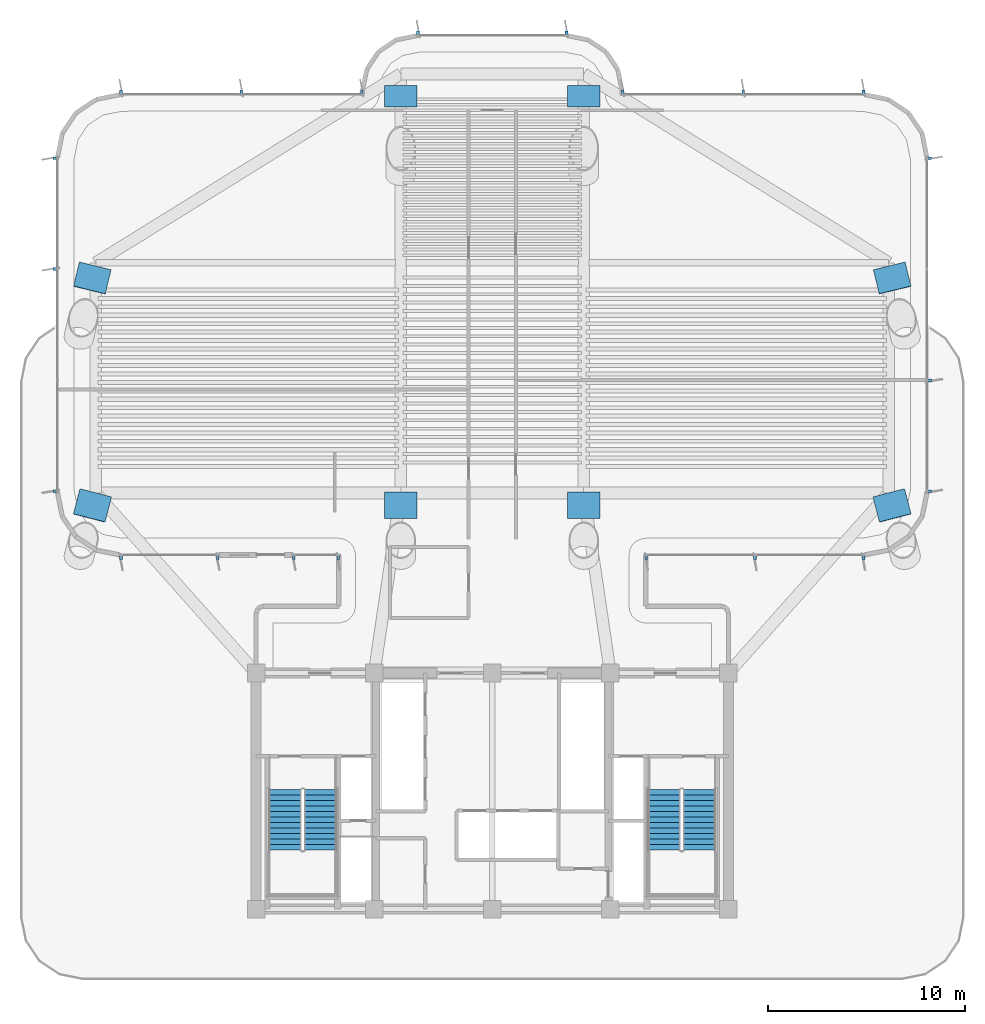
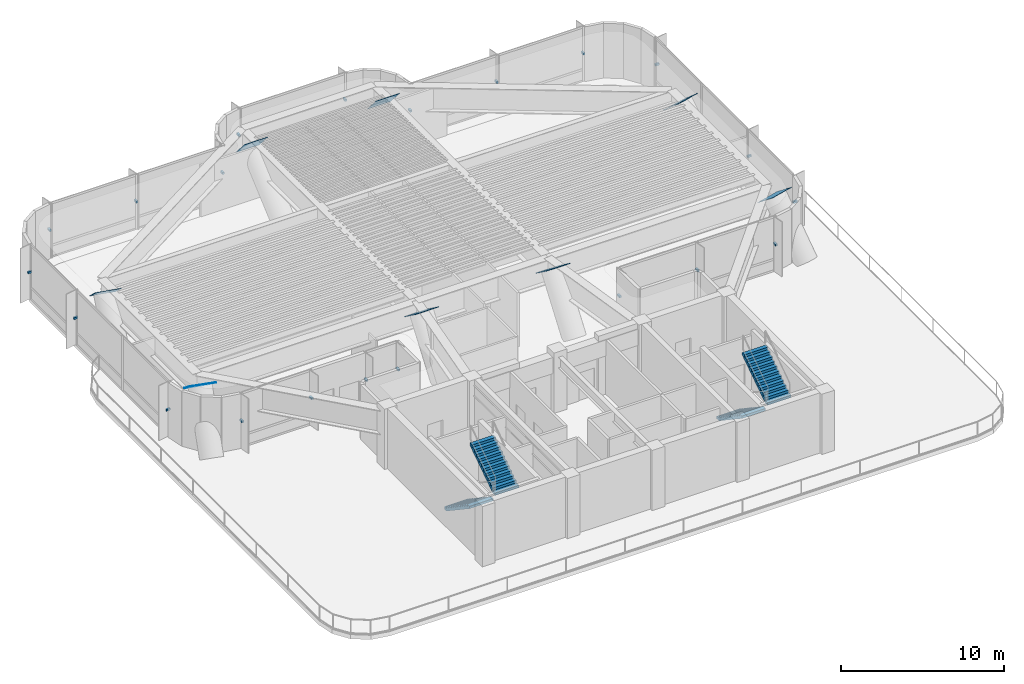
# One storey, part 10 of 14: 29 discrete accessories, 4 stair flights, 2 elements without a shape of their own.
"""IFC4 building model written with IfcOpenShell, lengths in metres."""

import ifcopenshell
import ifcopenshell.guid

model = None  # the IFC model being written
_history = None  # IfcOwnerHistory: only IFC2X3 demands one
_inside = {}  # id of a spatial element -> (the spatial element, [elements in it])
_under = {}  # id of a project, library or spatial element -> (it, [spatial elements below it])
_declared = {}  # id of a project -> (the project, [libraries it declares])
_typed = {}  # id of a type object -> (the type object, [elements of that type])
_made_of = {}  # id of a material, layer set ... -> (it, [elements and type objects made of it])


def new_model(schema):
    """Start an empty IFC model of exactly this schema.

    Asked for "IFC4X3", IfcOpenShell would pick the latest addendum, in which some entities
    have other attributes; the version numbers below select the first issue.
    IFC2X3 requires an IfcOwnerHistory on every rooted entity: one is made here for all.
    """
    global model, _history
    if schema == "IFC4X3":
        model = ifcopenshell.file(schema_version=(4, 3, 0, 0))
    else:
        model = ifcopenshell.file(schema=schema)
    _inside.clear()
    _under.clear()
    _declared.clear()
    _typed.clear()
    _made_of.clear()
    _history = None
    if model.schema == "IFC2X3":
        org = make("IfcOrganization", Name="unknown")
        user = make(
            "IfcPersonAndOrganization",
            ThePerson=make("IfcPerson", FamilyName="unknown"),
            TheOrganization=org,
        )
        app = make(
            "IfcApplication",
            ApplicationDeveloper=org,
            Version="unknown",
            ApplicationFullName="unknown",
            ApplicationIdentifier="unknown",
        )
        _history = make(
            "IfcOwnerHistory",
            OwningUser=user,
            OwningApplication=app,
            ChangeAction="ADDED",
            CreationDate=0,
        )
    return model


def make(cls, **values):
    """One entity of the class cls with the attributes given. An attribute that is None is left unset."""
    return model.create_entity(
        cls, **{name: value for name, value in values.items() if value is not None}
    )


def rooted(cls, **values):
    """An entity with a GlobalId (a new one), such as an element, a storey or a relation."""
    return make(cls, GlobalId=ifcopenshell.guid.new(), OwnerHistory=_history, **values)


def si_unit(unit_type, name, prefix=None):
    """IfcSIUnit, for example si_unit("LENGTHUNIT", "METRE", prefix="MILLI")."""
    return make("IfcSIUnit", UnitType=unit_type, Prefix=prefix, Name=name)


def assignment(units):
    """IfcUnitAssignment: the units of a project."""
    return None if units is None else make("IfcUnitAssignment", Units=units)


def point(xyz):
    """IfcCartesianPoint."""
    return None if xyz is None else make("IfcCartesianPoint", Coordinates=xyz)


def direction(xyz):
    """IfcDirection."""
    return None if xyz is None else make("IfcDirection", DirectionRatios=xyz)


def frame(location, z_axis=None, x_axis=None):
    """IfcAxis2Placement3D, a coordinate frame: its origin and axes. An axis left out is left unset."""
    return make(
        "IfcAxis2Placement3D",
        Location=point(location),
        Axis=direction(z_axis),
        RefDirection=direction(x_axis),
    )


def frame_2d(location, x_axis=None):
    """IfcAxis2Placement2D, a coordinate frame in the plane: its origin and x axis."""
    return make(
        "IfcAxis2Placement2D", Location=point(location), RefDirection=direction(x_axis)
    )


def origin():
    """The frame at (0, 0, 0) with its axes left unset."""
    return frame((0.0, 0.0, 0.0))


def origin_2d():
    """The frame at (0, 0) in the plane with its x axis left unset."""
    return frame_2d((0.0, 0.0))


def place(relative_to, where):
    """IfcLocalPlacement: puts the frame where relative to a parent placement (None: the world)."""
    return make(
        "IfcLocalPlacement", PlacementRelTo=relative_to, RelativePlacement=where
    )


def context(
    kind, dimensions, precision=None, world=None, true_north=None, identifier=None
):
    """IfcGeometricRepresentationContext, for example the 3D "Model" context."""
    return make(
        "IfcGeometricRepresentationContext",
        ContextIdentifier=identifier,
        ContextType=kind,
        CoordinateSpaceDimension=dimensions,
        Precision=precision,
        WorldCoordinateSystem=world,
        TrueNorth=true_north,
    )


def subcontext(parent, identifier, kind, view, scale=None):
    """IfcGeometricRepresentationSubContext, for example "Body" below "Model"."""
    return make(
        "IfcGeometricRepresentationSubContext",
        ContextIdentifier=identifier,
        ContextType=kind,
        ParentContext=parent,
        TargetScale=scale,
        TargetView=view,
    )


def project(units=None, contexts=None):
    """IfcProject with its units and contexts."""
    return rooted(
        "IfcProject",
        Name="project",
        RepresentationContexts=contexts,
        UnitsInContext=assignment(units),
    )


def spatial(cls, under=None, at=None, **own):
    """A site, building, storey or space (cls), placed at a placement, below another one or the project."""
    s = rooted(cls, ObjectPlacement=at, **own)
    if under is not None:
        _under.setdefault(under.id(), (under, []))[1].append(s)
    return s


def polyline(points):
    """IfcPolyline through the points."""
    return make("IfcPolyline", Points=[point(p) for p in points])


def profile(cls, at=None, kind="AREA", **sizes):
    """A parametric profile (cls). Its sizes go by their IFC names, for example OverallWidth=200.0."""
    return make(cls, ProfileType=kind, Position=at, **sizes)


def rectangle(**sizes):
    """IfcRectangleProfileDef."""
    return profile("IfcRectangleProfileDef", **sizes)


def outline(outer, holes=None, kind="AREA"):
    """IfcArbitraryClosedProfileDef: a profile drawn as a closed curve; with holes, ...WithVoids."""
    if holes is None:
        return make("IfcArbitraryClosedProfileDef", ProfileType=kind, OuterCurve=outer)
    return make(
        "IfcArbitraryProfileDefWithVoids",
        ProfileType=kind,
        OuterCurve=outer,
        InnerCurves=holes,
    )


def extrude(swept, where, along, depth):
    """IfcExtrudedAreaSolid: the profile swept, set in the frame where, extruded along a direction by depth."""
    return make(
        "IfcExtrudedAreaSolid",
        SweptArea=swept,
        Position=where,
        ExtrudedDirection=direction(along),
        Depth=depth,
    )


def shape(context_of_items, identifier, shape_type, items):
    """IfcShapeRepresentation: the items that make up one representation, for example the "Body"."""
    return make(
        "IfcShapeRepresentation",
        ContextOfItems=context_of_items,
        RepresentationIdentifier=identifier,
        RepresentationType=shape_type,
        Items=items,
    )


def source(mapping_origin, context_of_items, identifier, shape_type, items):
    """IfcRepresentationMap: a shape defined once, which mapped items show again and again."""
    return make(
        "IfcRepresentationMap",
        MappingOrigin=mapping_origin,
        MappedRepresentation=shape(context_of_items, identifier, shape_type, items),
    )


def transform(
    local_origin,
    x_axis=None,
    y_axis=None,
    z_axis=None,
    scale=None,
    scale2=None,
    scale3=None,
    uniform=True,
):
    """IfcCartesianTransformationOperator3D, or its non-uniform kind. x_axis, y_axis, z_axis: its Axis1, 2, 3."""
    if uniform:
        return make(
            "IfcCartesianTransformationOperator3D",
            Axis1=direction(x_axis),
            Axis2=direction(y_axis),
            LocalOrigin=point(local_origin),
            Scale=scale,
            Axis3=direction(z_axis),
        )
    return make(
        "IfcCartesianTransformationOperator3DnonUniform",
        Axis1=direction(x_axis),
        Axis2=direction(y_axis),
        LocalOrigin=point(local_origin),
        Scale=scale,
        Axis3=direction(z_axis),
        Scale2=scale2,
        Scale3=scale3,
    )


def mapped(mapping_source, mapping_target):
    """IfcMappedItem: shows the shape of a source again, moved by a transform."""
    return make(
        "IfcMappedItem", MappingSource=mapping_source, MappingTarget=mapping_target
    )


def material(Name=None, Category=None):
    """IfcMaterial."""
    return make("IfcMaterial", Name=Name, Category=Category)


def material_profile(
    of_material, cross_section, Name=None, Category=None, Priority=None
):
    """IfcMaterialProfile: a cross section and its material."""
    return make(
        "IfcMaterialProfile",
        Name=Name,
        Material=of_material,
        Profile=cross_section,
        Priority=Priority,
        Category=Category,
    )


def profile_set(profiles, Name=None, composite=None):
    """IfcMaterialProfileSet."""
    return make(
        "IfcMaterialProfileSet",
        Name=Name,
        MaterialProfiles=profiles,
        CompositeProfile=composite,
    )


def made_of(thing, what):
    """Note that an element or type object is made of a material, layer set ...; save() writes the relation."""
    if what is not None:
        _made_of.setdefault(what.id(), (what, []))[1].append(thing)
    return thing


def type_object(cls, material=None, **own):
    """A type object (cls), such as IfcWallType, which elements share."""
    return made_of(rooted(cls, **own), material)


def element(
    cls,
    number,
    at=None,
    inside=None,
    cuts=None,
    type_object=None,
    material=None,
    context=None,
    identifier="Body",
    shape_type=None,
    held_by="IfcProductDefinitionShape",
    body=None,
    shapes=None,
    **own,
):
    """One element of the class cls, such as IfcWall. Its Tag is "e" and its number.

    at: its placement. inside: the storey or other place that contains it. cuts: it is an
    opening in that element (IfcRelVoidsElement). A single representation is given by context,
    identifier, shape_type and body (its items); several are given by shapes. held_by: the class
    of the entity that holds the representations. save() writes the other relations.
    """
    e = rooted(cls, Tag="e%d" % number, ObjectPlacement=at, **own)
    if body is not None:
        shapes = [shape(context, identifier, shape_type, body)]
    if shapes is not None:
        e.Representation = make(held_by, Representations=shapes)
    if inside is not None:
        _inside.setdefault(inside.id(), (inside, []))[1].append(e)
    if cuts is not None:
        rooted(
            "IfcRelVoidsElement", RelatingBuildingElement=cuts, RelatedOpeningElement=e
        )
    if type_object is not None:
        _typed.setdefault(type_object.id(), (type_object, []))[1].append(e)
    return made_of(e, material)


def aggregate(whole, parts):
    """IfcRelAggregates: a whole, such as a stair, and the parts it consists of."""
    return rooted("IfcRelAggregates", RelatingObject=whole, RelatedObjects=parts)


def save(model, path):
    """Write the relations noted so far, then the file.

    IfcRelAggregates (storeys below a building ...), IfcRelContainedInSpatialStructure (elements
    in a storey), IfcRelDefinesByType, IfcRelAssociatesMaterial and IfcRelDeclares: one each for
    every whole, place, type object, material and project.
    """
    for whole, parts in _under.values():
        aggregate(whole, parts)
    for where, things in _inside.values():
        rooted(
            "IfcRelContainedInSpatialStructure",
            RelatedElements=things,
            RelatingStructure=where,
        )
    for kind, things in _typed.values():
        rooted("IfcRelDefinesByType", RelatedObjects=things, RelatingType=kind)
    for what, things in _made_of.values():
        rooted("IfcRelAssociatesMaterial", RelatedObjects=things, RelatingMaterial=what)
    for by, libraries in _declared.values():
        rooted("IfcRelDeclares", RelatingContext=by, RelatedDefinitions=libraries)
    model.write(path)


model = new_model("IFC4")

# Units and contexts
model_context = context("Model", 3, precision=1e-05, world=origin(), true_north=direction((0.0, 1.0)))
body_context = subcontext(model_context, "Body", "Model", "MODEL_VIEW")
ifc_project = project(units=[si_unit("LENGTHUNIT", "METRE"), si_unit("AREAUNIT", "SQUARE_METRE"), si_unit("VOLUMEUNIT", "CUBIC_METRE"), si_unit("PLANEANGLEUNIT", "RADIAN"), si_unit("MASSUNIT", "GRAM", prefix="KILO")], contexts=[model_context])

# Site, building, storey
site_placement = place(None, origin())
site = spatial("IfcSite", under=ifc_project, at=site_placement, CompositionType="ELEMENT")
building_placement = place(site_placement, origin())
building = spatial("IfcBuilding", under=site, at=building_placement, Name="Brelvock Crest Care Tower", CompositionType="ELEMENT")
storey_placement = place(building_placement, frame((0.0, 0.0, 85.320068359375)))
storey = spatial("IfcBuildingStorey", under=building, at=storey_placement, Name="L21", CompositionType="ELEMENT", Elevation=85.320068359375)

# Stair, stair flights
ifc_material_1 = material(Name="Concrete N40 (40 MPa)", Category="concrete")
stair_type = type_object("IfcStairType", Name="ST-CORE1", PredefinedType="HALF_TURN_STAIR", material=ifc_material_1)
stair_1_placement = place(storey_placement, origin())
stair_1 = element("IfcStair", 1, at=stair_1_placement, inside=storey, type_object=stair_type, Name="L21 Fire-Isolated Core Stair ST-1", PredefinedType="HALF_TURN_STAIR")
stair_flight_type = type_object("IfcStairFlightType", Name="STF-1", PredefinedType="STRAIGHT", material=ifc_material_1)
stair_flight_1_placement = place(storey_placement, frame((25.469970703125, 12.080078125, 0.0), z_axis=(0.0, 0.0, 1.0), x_axis=(0.0, -1.0, 0.0)))
stair_flight_1 = element("IfcStairFlight", 2, at=stair_flight_1_placement, type_object=stair_flight_type, Name="ST-1 flight 1", NumberOfRisers=12, NumberOfTreads=11, PredefinedType="STRAIGHT", RiserHeight=0.1875, TreadLength=0.28, context=body_context, shape_type="SweptSolid", body=[
    extrude(outline(polyline([(-0.00390625, -0.014892578125), (-0.00390625, -0.0078125), (-0.00390625, -0.00048828125), (-0.00390625, 0.006591796875), (-0.00390625, 0.013916015625), (-0.00390625, 0.021240234375), (-0.00390625, 0.0283203125), (-0.00390625, 0.03564453125), (-0.00390625, 0.04296875), (-0.00390625, 0.050048828125), (-0.00390625, 0.057373046875), (-0.00390625, 0.064453125), (-0.00390625, 0.07177734375), (-0.00390625, 0.0791015625), (-0.00390625, 0.086181640625), (-0.00390625, 0.093505859375), (-0.00390625, 0.100830078125), (-0.00390625, 0.10791015625), (-0.00390625, 0.115234375), (-0.00390625, 0.122314453125), (-0.00390625, 0.129638671875), (-0.00390625, 0.136962890625), (-0.00390625, 0.14404296875), (-0.00390625, 0.1513671875), (-0.00390625, 0.15869140625), (-0.00390625, 0.165771484375), (-0.00390625, 0.173095703125), (-0.00390625, 0.18017578125), (-0.00390625, 0.1875), (0.0, 0.1875), (0.280029296875, 0.1875), (0.280029296875, 0.375), (0.56005859375, 0.375), (0.56005859375, 0.5625), (0.840087890625, 0.5625), (0.840087890625, 0.75), (1.1201171875, 0.75), (1.1201171875, 0.9375), (1.39990234375, 0.9375), (1.39990234375, 1.125), (1.679931640625, 1.125), (1.679931640625, 1.3125), (1.9599609375, 1.3125), (1.9599609375, 1.5), (2.239990234375, 1.5), (2.239990234375, 1.6875), (2.52001953125, 1.6875), (2.52001953125, 1.875), (2.800048828125, 1.875), (2.800048828125, 2.0625), (3.080078125, 2.0625), (3.083984375, 2.0625), (3.083740234375, 2.06201171875), (3.083984375, 2.061767578125), (3.083740234375, 2.061279296875), (3.083984375, 2.06103515625), (3.083740234375, 2.060546875), (3.083984375, 2.060302734375), (3.083740234375, 2.059814453125), (3.083984375, 2.0595703125), (3.083740234375, 2.05908203125), (3.083984375, 2.058837890625), (3.083740234375, 2.058349609375), (3.083984375, 2.05810546875), (3.083740234375, 2.0576171875), (3.083984375, 2.05712890625), (3.083740234375, 2.056884765625), (3.083984375, 2.056396484375), (3.083740234375, 2.05615234375), (3.083984375, 2.0556640625), (3.083740234375, 2.055419921875), (3.083984375, 2.054931640625), (3.083740234375, 2.0546875), (3.083984375, 2.05419921875), (3.083740234375, 2.053955078125), (3.083984375, 2.053466796875), (3.083740234375, 2.05322265625), (3.083984375, 2.052734375), (3.083740234375, 2.052490234375), (3.083984375, 2.052001953125), (3.080078125, 1.882080078125), (0.26953125, 0.0), (0.0, 0.0), (0.0, -0.014892578125), (-0.00390625, -0.014892578125)])), frame((0.0, 0.83984375, 0.0), z_axis=(0.0, -1.0, 0.0), x_axis=(1.0, 0.0, 0.0)), (0.0, 0.0, 1.0), 1.679931640625),
])
stair_flight_2_placement = place(storey_placement, frame((27.27001953125, 9.0, 2.25), z_axis=(0.0, 0.0, 1.0), x_axis=(0.0, 1.0, 0.0)))
stair_flight_2 = element("IfcStairFlight", 3, at=stair_flight_2_placement, type_object=stair_flight_type, Name="ST-1 flight 2", NumberOfRisers=12, NumberOfTreads=11, PredefinedType="STRAIGHT", RiserHeight=0.1875, TreadLength=0.28, context=body_context, shape_type="SweptSolid", body=[
    extrude(outline(polyline([(-0.00390625, -0.014892578125), (-0.00390625, -0.0078125), (-0.00390625, -0.00048828125), (-0.00390625, 0.006591796875), (-0.00390625, 0.013916015625), (-0.00390625, 0.021240234375), (-0.00390625, 0.0283203125), (-0.00390625, 0.03564453125), (-0.00390625, 0.04296875), (-0.00390625, 0.050048828125), (-0.00390625, 0.057373046875), (-0.00390625, 0.064453125), (-0.00390625, 0.07177734375), (-0.00390625, 0.0791015625), (-0.00390625, 0.086181640625), (-0.00390625, 0.093505859375), (-0.00390625, 0.100830078125), (-0.00390625, 0.10791015625), (-0.00390625, 0.115234375), (-0.00390625, 0.122314453125), (-0.00390625, 0.129638671875), (-0.00390625, 0.136962890625), (-0.00390625, 0.14404296875), (-0.00390625, 0.1513671875), (-0.00390625, 0.15869140625), (-0.00390625, 0.165771484375), (-0.00390625, 0.173095703125), (-0.00390625, 0.18017578125), (-0.00390625, 0.1875), (0.0, 0.1875), (0.280029296875, 0.1875), (0.280029296875, 0.375), (0.56005859375, 0.375), (0.56005859375, 0.5625), (0.840087890625, 0.5625), (0.840087890625, 0.75), (1.1201171875, 0.75), (1.1201171875, 0.9375), (1.39990234375, 0.9375), (1.39990234375, 1.125), (1.679931640625, 1.125), (1.679931640625, 1.3125), (1.9599609375, 1.3125), (1.9599609375, 1.5), (2.239990234375, 1.5), (2.239990234375, 1.6875), (2.52001953125, 1.6875), (2.52001953125, 1.875), (2.800048828125, 1.875), (2.800048828125, 2.0625), (3.080078125, 2.0625), (3.083984375, 2.0625), (3.083740234375, 2.06201171875), (3.083984375, 2.061767578125), (3.083740234375, 2.061279296875), (3.083984375, 2.06103515625), (3.083740234375, 2.060546875), (3.083984375, 2.060302734375), (3.083740234375, 2.059814453125), (3.083984375, 2.0595703125), (3.083740234375, 2.05908203125), (3.083984375, 2.058837890625), (3.083740234375, 2.058349609375), (3.083984375, 2.05810546875), (3.083740234375, 2.0576171875), (3.083984375, 2.05712890625), (3.083740234375, 2.056884765625), (3.083984375, 2.056396484375), (3.083740234375, 2.05615234375), (3.083984375, 2.0556640625), (3.083740234375, 2.055419921875), (3.083984375, 2.054931640625), (3.083740234375, 2.0546875), (3.083984375, 2.05419921875), (3.083740234375, 2.053955078125), (3.083984375, 2.053466796875), (3.083740234375, 2.05322265625), (3.083984375, 2.052734375), (3.083740234375, 2.052490234375), (3.083984375, 2.052001953125), (3.080078125, 1.882080078125), (0.26953125, 0.0), (0.0, 0.0), (0.0, -0.014892578125), (-0.00390625, -0.014892578125)])), frame((0.0, 0.83984375, 0.0), z_axis=(0.0, -1.0, 0.0), x_axis=(1.0, 0.0, 0.0)), (0.0, 0.0, 1.0), 1.679931640625),
])
aggregate(stair_1, [stair_flight_1, stair_flight_2])

stair_2_placement = place(storey_placement, origin())
stair_2 = element("IfcStair", 4, at=stair_2_placement, inside=storey, type_object=stair_type, Name="L21 Fire-Isolated Core Stair ST-2", PredefinedType="HALF_TURN_STAIR")
stair_flight_3_placement = place(storey_placement, frame((44.72998046875, 12.080078125, 0.0), z_axis=(0.0, 0.0, 1.0), x_axis=(0.0, -1.0, 0.0)))
stair_flight_3 = element("IfcStairFlight", 5, at=stair_flight_3_placement, type_object=stair_flight_type, Name="ST-2 flight 1", NumberOfRisers=12, NumberOfTreads=11, PredefinedType="STRAIGHT", RiserHeight=0.1875, TreadLength=0.28, context=body_context, shape_type="SweptSolid", body=[
    extrude(outline(polyline([(-0.00390625, -0.014892578125), (-0.00390625, -0.0078125), (-0.00390625, -0.00048828125), (-0.00390625, 0.006591796875), (-0.00390625, 0.013916015625), (-0.00390625, 0.021240234375), (-0.00390625, 0.0283203125), (-0.00390625, 0.03564453125), (-0.00390625, 0.04296875), (-0.00390625, 0.050048828125), (-0.00390625, 0.057373046875), (-0.00390625, 0.064453125), (-0.00390625, 0.07177734375), (-0.00390625, 0.0791015625), (-0.00390625, 0.086181640625), (-0.00390625, 0.093505859375), (-0.00390625, 0.100830078125), (-0.00390625, 0.10791015625), (-0.00390625, 0.115234375), (-0.00390625, 0.122314453125), (-0.00390625, 0.129638671875), (-0.00390625, 0.136962890625), (-0.00390625, 0.14404296875), (-0.00390625, 0.1513671875), (-0.00390625, 0.15869140625), (-0.00390625, 0.165771484375), (-0.00390625, 0.173095703125), (-0.00390625, 0.18017578125), (-0.00390625, 0.1875), (0.0, 0.1875), (0.280029296875, 0.1875), (0.280029296875, 0.375), (0.56005859375, 0.375), (0.56005859375, 0.5625), (0.840087890625, 0.5625), (0.840087890625, 0.75), (1.1201171875, 0.75), (1.1201171875, 0.9375), (1.39990234375, 0.9375), (1.39990234375, 1.125), (1.679931640625, 1.125), (1.679931640625, 1.3125), (1.9599609375, 1.3125), (1.9599609375, 1.5), (2.239990234375, 1.5), (2.239990234375, 1.6875), (2.52001953125, 1.6875), (2.52001953125, 1.875), (2.800048828125, 1.875), (2.800048828125, 2.0625), (3.080078125, 2.0625), (3.083984375, 2.0625), (3.083740234375, 2.06201171875), (3.083984375, 2.061767578125), (3.083740234375, 2.061279296875), (3.083984375, 2.06103515625), (3.083740234375, 2.060546875), (3.083984375, 2.060302734375), (3.083740234375, 2.059814453125), (3.083984375, 2.0595703125), (3.083740234375, 2.05908203125), (3.083984375, 2.058837890625), (3.083740234375, 2.058349609375), (3.083984375, 2.05810546875), (3.083740234375, 2.0576171875), (3.083984375, 2.05712890625), (3.083740234375, 2.056884765625), (3.083984375, 2.056396484375), (3.083740234375, 2.05615234375), (3.083984375, 2.0556640625), (3.083740234375, 2.055419921875), (3.083984375, 2.054931640625), (3.083740234375, 2.0546875), (3.083984375, 2.05419921875), (3.083740234375, 2.053955078125), (3.083984375, 2.053466796875), (3.083740234375, 2.05322265625), (3.083984375, 2.052734375), (3.083740234375, 2.052490234375), (3.083984375, 2.052001953125), (3.080078125, 1.882080078125), (0.26953125, 0.0), (0.0, 0.0), (0.0, -0.014892578125), (-0.00390625, -0.014892578125)])), frame((0.0, 0.83984375, 0.0), z_axis=(0.0, -1.0, 0.0), x_axis=(1.0, 0.0, 0.0)), (0.0, 0.0, 1.0), 1.679931640625),
])
stair_flight_4_placement = place(storey_placement, frame((46.530029296875, 9.0, 2.25), z_axis=(0.0, 0.0, 1.0), x_axis=(0.0, 1.0, 0.0)))
stair_flight_4 = element("IfcStairFlight", 6, at=stair_flight_4_placement, type_object=stair_flight_type, Name="ST-2 flight 2", NumberOfRisers=12, NumberOfTreads=11, PredefinedType="STRAIGHT", RiserHeight=0.1875, TreadLength=0.28, context=body_context, shape_type="SweptSolid", body=[
    extrude(outline(polyline([(-0.00390625, -0.014892578125), (-0.00390625, -0.0078125), (-0.00390625, -0.00048828125), (-0.00390625, 0.006591796875), (-0.00390625, 0.013916015625), (-0.00390625, 0.021240234375), (-0.00390625, 0.0283203125), (-0.00390625, 0.03564453125), (-0.00390625, 0.04296875), (-0.00390625, 0.050048828125), (-0.00390625, 0.057373046875), (-0.00390625, 0.064453125), (-0.00390625, 0.07177734375), (-0.00390625, 0.0791015625), (-0.00390625, 0.086181640625), (-0.00390625, 0.093505859375), (-0.00390625, 0.100830078125), (-0.00390625, 0.10791015625), (-0.00390625, 0.115234375), (-0.00390625, 0.122314453125), (-0.00390625, 0.129638671875), (-0.00390625, 0.136962890625), (-0.00390625, 0.14404296875), (-0.00390625, 0.1513671875), (-0.00390625, 0.15869140625), (-0.00390625, 0.165771484375), (-0.00390625, 0.173095703125), (-0.00390625, 0.18017578125), (-0.00390625, 0.1875), (0.0, 0.1875), (0.280029296875, 0.1875), (0.280029296875, 0.375), (0.56005859375, 0.375), (0.56005859375, 0.5625), (0.840087890625, 0.5625), (0.840087890625, 0.75), (1.1201171875, 0.75), (1.1201171875, 0.9375), (1.39990234375, 0.9375), (1.39990234375, 1.125), (1.679931640625, 1.125), (1.679931640625, 1.3125), (1.9599609375, 1.3125), (1.9599609375, 1.5), (2.239990234375, 1.5), (2.239990234375, 1.6875), (2.52001953125, 1.6875), (2.52001953125, 1.875), (2.800048828125, 1.875), (2.800048828125, 2.0625), (3.080078125, 2.0625), (3.083984375, 2.0625), (3.083740234375, 2.06201171875), (3.083984375, 2.061767578125), (3.083740234375, 2.061279296875), (3.083984375, 2.06103515625), (3.083740234375, 2.060546875), (3.083984375, 2.060302734375), (3.083740234375, 2.059814453125), (3.083984375, 2.0595703125), (3.083740234375, 2.05908203125), (3.083984375, 2.058837890625), (3.083740234375, 2.058349609375), (3.083984375, 2.05810546875), (3.083740234375, 2.0576171875), (3.083984375, 2.05712890625), (3.083740234375, 2.056884765625), (3.083984375, 2.056396484375), (3.083740234375, 2.05615234375), (3.083984375, 2.0556640625), (3.083740234375, 2.055419921875), (3.083984375, 2.054931640625), (3.083740234375, 2.0546875), (3.083984375, 2.05419921875), (3.083740234375, 2.053955078125), (3.083984375, 2.053466796875), (3.083740234375, 2.05322265625), (3.083984375, 2.052734375), (3.083740234375, 2.052490234375), (3.083984375, 2.052001953125), (3.080078125, 1.882080078125), (0.26953125, 0.0), (0.0, 0.0), (0.0, -0.014892578125), (-0.00390625, -0.014892578125)])), frame((0.0, 0.83984375, 0.0), z_axis=(0.0, -1.0, 0.0), x_axis=(1.0, 0.0, 0.0)), (0.0, 0.0, 1.0), 1.679931640625),
])
aggregate(stair_2, [stair_flight_3, stair_flight_4])

# Discrete accessories
ifc_material_2 = material(Name="Steel Grade 350", Category="steel")
ifc_material_profile = material_profile(ifc_material_2, rectangle(XDim=1.659912109375, YDim=1.659912109375, at=origin_2d()), Name="ACC-CAP1")
ifc_profile_set = profile_set([ifc_material_profile], Name="Steel Grade 350")
discrete_accessory_type_1 = type_object("IfcDiscreteAccessoryType", Name="ACC-CAP1", PredefinedType="BRACKET", material=ifc_profile_set)
shared_shape_1 = source(origin(), body_context, "Body", "SweptSolid", [
    extrude(rectangle(XDim=1.659912109375, YDim=1.659912109375, at=origin_2d()), origin(), (0.0, 0.0, 1.0), 0.02392578125),
])
for number, where, z_axis, x_axis, name in (
    (7, (15.6806640625, 26.508056640625, 3.617431640625), (0.152514334903, 0.589722094958, 0.793074541495), (-0.968146911612, 0.250382821969, 0.0), "L21 Mega-Column Top End Cap Shoe M1"),
    (8, (15.672607421875, 38.06640625, 3.576171875), (0.15353355032, 0.634605341323, 0.757432181579), (-0.971958774044, 0.235151316301, 0.0), "L21 Mega-Column Top End Cap Shoe M2"),
    (9, (56.3193359375, 26.508056640625, 3.617431640625), (-0.152514334903, 0.589722094958, 0.793074541495), (-0.968146911612, -0.250382821969, 0.0), "L21 Mega-Column Top End Cap Shoe M3"),
    (10, (56.327392578125, 38.06640625, 3.576171875), (-0.15353355032, 0.634605341323, 0.757432181579), (-0.971958774044, -0.235151316301, 0.0), "L21 Mega-Column Top End Cap Shoe M4"),
    (11, (31.35009765625, 47.3017578125, 3.502685546875), (0.0, 0.756363172452, 0.654151932932), (-1.0, 0.0, 0.0), "L21 Mega-Column Top End Cap Shoe M7"),
    (12, (40.64990234375, 47.3017578125, 3.502685546875), (0.0, 0.756363172452, 0.654151932932), (-1.0, 0.0, 0.0), "L21 Mega-Column Top End Cap Shoe M8"),
):
    element("IfcDiscreteAccessory", number, at=place(storey_placement, frame(where, z_axis=z_axis, x_axis=x_axis)), inside=storey, type_object=discrete_accessory_type_1, Name=name, PredefinedType="BRACKET", context=body_context, shape_type="MappedRepresentation", body=[
        mapped(shared_shape_1, transform((0.0, 0.0, 0.0), x_axis=(1.0, 0.0, 0.0), y_axis=(0.0, 1.0, 0.0), z_axis=(0.0, 0.0, 1.0), scale=1.0)),
    ])
shared_shape_2 = source(origin(), body_context, "Body", "SweptSolid", [
    extrude(rectangle(XDim=1.659912109375, YDim=1.659912109375, at=origin_2d()), origin(), (0.0, 0.0, 1.0), 0.024169921875),
])
for number, where, z_axis, x_axis, name in (
    (13, (31.35009765625, 26.51513671875, 3.626953125), (0.0, 0.586967571461, 0.809610443394), (-1.0, 0.0, 0.0), "L21 Mega-Column Top End Cap Shoe M5"),
    (14, (40.64990234375, 26.51513671875, 3.626953125), (0.0, 0.586967571461, 0.809610443394), (-1.0, 0.0, 0.0), "L21 Mega-Column Top End Cap Shoe M6"),
):
    element("IfcDiscreteAccessory", number, at=place(storey_placement, frame(where, z_axis=z_axis, x_axis=x_axis)), inside=storey, type_object=discrete_accessory_type_1, Name=name, PredefinedType="BRACKET", context=body_context, shape_type="MappedRepresentation", body=[
        mapped(shared_shape_2, transform((0.0, 0.0, 0.0), x_axis=(1.0, 0.0, 0.0), y_axis=(0.0, 1.0, 0.0), z_axis=(0.0, 0.0, 1.0), scale=1.0)),
    ])
discrete_accessory_type_2 = type_object("IfcDiscreteAccessoryType", Name="ACC-BRK1", PredefinedType="BRACKET", material=ifc_material_2)
shared_shape_3 = source(origin(), body_context, "Body", "SweptSolid", [
    extrude(rectangle(XDim=0.280029296875, YDim=0.139892578125, at=origin_2d()), origin(), (0.0, 0.0, 1.0), 0.139892578125),
])
for number, where, z_axis, x_axis, name in (
    (15, (28.16748046875, 23.919921875, 1.97607421875), (0.0, 0.0, 1.0), (0.0, -1.0, 0.0), "L21 Facade Fin Bracket E12A-01"),
    (16, (25.91455078125, 23.919921875, 1.97607421875), (0.0, 0.0, 1.0), (0.0, -1.0, 0.0), "L21 Facade Fin Bracket E12A-02"),
    (17, (22.049560546875, 23.919921875, 1.97607421875), (0.0, 0.0, 1.0), (0.0, -1.0, 0.0), "L21 Facade Fin Bracket E12B-01"),
    (18, (17.132568359375, 23.919921875, 1.97607421875), (0.0, 0.0, 1.0), (0.0, -1.0, 0.0), "L21 Facade Fin Bracket E12B-02"),
    (19, (13.820068359375, 27.232421875, 1.97607421875), (0.0, 0.0, 1.0), (-1.0, 0.0, 0.0), "L21 Facade Fin Bracket E17-01"),
    (20, (13.820068359375, 38.533203125, 1.97607421875), (0.0, 0.0, 1.0), (-1.0, 0.0, 0.0), "L21 Facade Fin Bracket E17-03"),
    (21, (13.820068359375, 44.16748046875, 1.97607421875), (0.0, 0.0, 1.0), (-1.0, 0.0, 0.0), "L21 Facade Fin Bracket E17-04"),
    (22, (17.132568359375, 47.47998046875, 1.97607421875), (0.0, 0.0, 1.0), (0.0, 1.0, 0.0), "L21 Facade Fin Bracket E22-01"),
    (23, (23.25, 47.47998046875, 1.97607421875), (0.0, 0.0, 1.0), (0.0, 1.0, 0.0), "L21 Facade Fin Bracket E22-02"),
    (24, (29.367431640625, 47.47998046875, 1.97607421875), (0.0, 0.0, 1.0), (0.0, 1.0, 0.0), "L21 Facade Fin Bracket E22-03"),
    (25, (32.232421875, 50.47998046875, 1.97607421875), (0.0, 0.0, 1.0), (0.0, 1.0, 0.0), "L21 Facade Fin Bracket E28-01"),
    (26, (39.767578125, 50.47998046875, 1.97607421875), (0.0, 0.0, 1.0), (0.0, 1.0, 0.0), "L21 Facade Fin Bracket E28-02"),
    (27, (42.632568359375, 47.47998046875, 1.97607421875), (0.0, 0.0, 1.0), (0.0, 1.0, 0.0), "L21 Facade Fin Bracket E34-01"),
    (28, (48.75, 47.47998046875, 1.97607421875), (0.0, 0.0, 1.0), (0.0, 1.0, 0.0), "L21 Facade Fin Bracket E34-02"),
    (29, (54.867431640625, 47.47998046875, 1.97607421875), (0.0, 0.0, 1.0), (0.0, 1.0, 0.0), "L21 Facade Fin Bracket E34-03"),
    (30, (58.179931640625, 44.16748046875, 1.97607421875), (0.0, 0.0, 1.0), (1.0, 0.0, 0.0), "L21 Facade Fin Bracket E39-01"),
    (31, (58.179931640625, 32.86669921875, 1.97607421875), (0.0, 0.0, 1.0), (1.0, 0.0, 0.0), "L21 Facade Fin Bracket E39-03"),
    (32, (58.179931640625, 27.232421875, 1.97607421875), (0.0, 0.0, 1.0), (1.0, 0.0, 0.0), "L21 Facade Fin Bracket E39-04"),
    (33, (54.867431640625, 23.919921875, 1.97607421875), (0.0, 0.0, 1.0), (0.0, -1.0, 0.0), "L21 Facade Fin Bracket E44-01"),
    (34, (49.35009765625, 23.919921875, 1.97607421875), (0.0, 0.0, 1.0), (0.0, -1.0, 0.0), "L21 Facade Fin Bracket E44-02"),
    (35, (43.83251953125, 23.919921875, 1.97607421875), (0.0, 0.0, 1.0), (0.0, -1.0, 0.0), "L21 Facade Fin Bracket E44-03"),
):
    element("IfcDiscreteAccessory", number, at=place(storey_placement, frame(where, z_axis=z_axis, x_axis=x_axis)), inside=storey, type_object=discrete_accessory_type_2, Name=name, PredefinedType="BRACKET", context=body_context, shape_type="MappedRepresentation", body=[
        mapped(shared_shape_3, transform((0.0, 0.0, 0.0), x_axis=(1.0, 0.0, 0.0), y_axis=(0.0, 1.0, 0.0), z_axis=(0.0, 0.0, 1.0), scale=1.0)),
    ])

save(model, "model.ifc")
